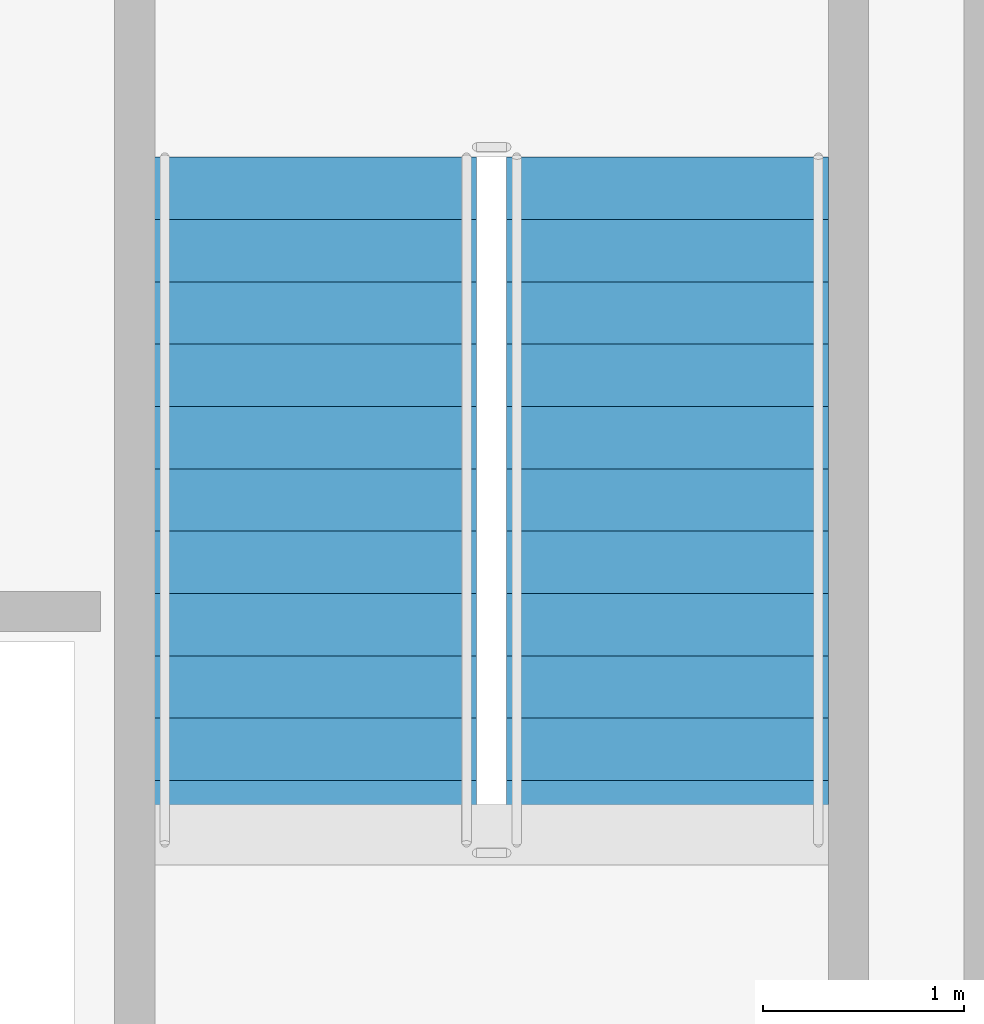
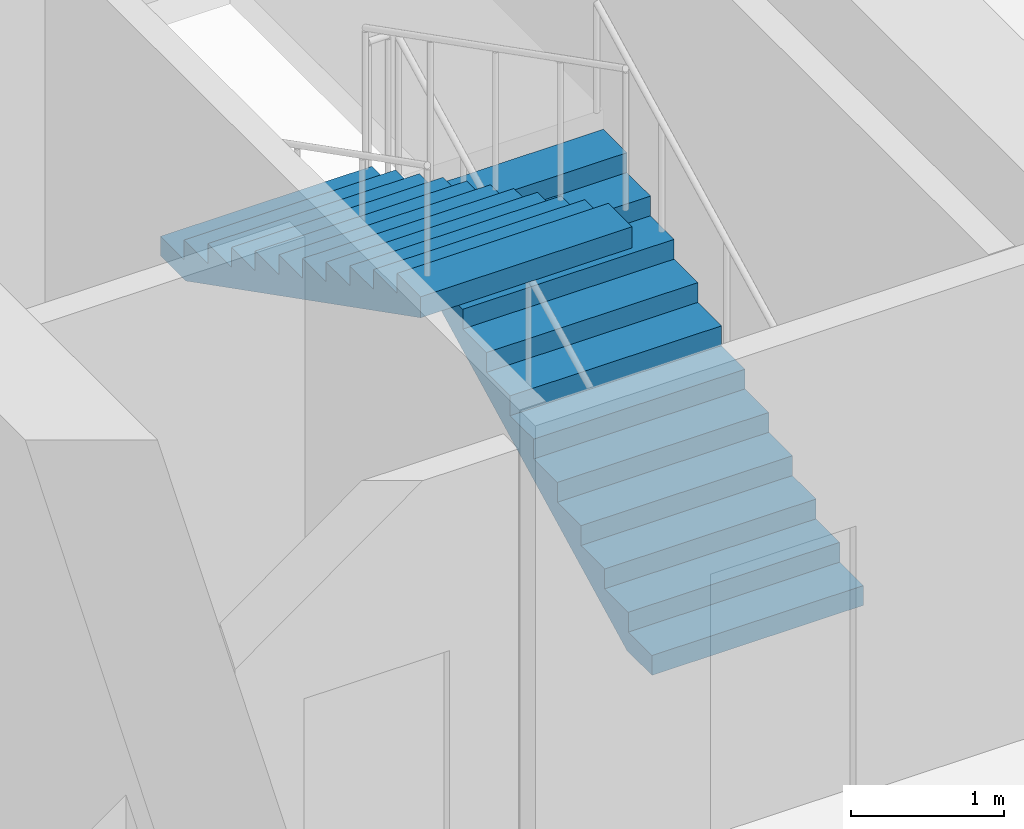
# One storey, part 10 of 14: 2 stair flights, 1 element without a shape of its own.
"""IFC4 building model written with IfcOpenShell, lengths in metres."""

from ifc_helpers import new_model, si_unit, direction, frame, origin, place, context, subcontext, project, spatial, polyline, outline, extrude, material, type_object, element, aggregate, save


model = new_model("IFC4")

# Units and contexts
model_context = context("Model", 3, precision=1e-05, world=origin(), true_north=direction((0.0, 1.0)))
body_context = subcontext(model_context, "Body", "Model", "MODEL_VIEW")
ifc_project = project(units=[si_unit("LENGTHUNIT", "METRE"), si_unit("AREAUNIT", "SQUARE_METRE"), si_unit("VOLUMEUNIT", "CUBIC_METRE"), si_unit("PLANEANGLEUNIT", "RADIAN"), si_unit("MASSUNIT", "GRAM", prefix="KILO")], contexts=[model_context])

# Site, building, storey
site_placement = place(None, origin())
site = spatial("IfcSite", under=ifc_project, at=site_placement, CompositionType="ELEMENT")
building_placement = place(site_placement, origin())
building = spatial("IfcBuilding", under=site, at=building_placement, Name="Vaeldorn Concourse Tower", CompositionType="ELEMENT")
storey_placement = place(building_placement, frame((0.0, 0.0, 122.39990234375)))
storey = spatial("IfcBuildingStorey", under=building, at=storey_placement, Name="L31", CompositionType="ELEMENT", Elevation=122.39990234375)

# Stair, stair flights
ifc_material = material(Name="Precast concrete C40/50", Category="concrete")
stair_type = type_object("IfcStairType", Name="STR-DOG-24x158", PredefinedType="HALF_TURN_STAIR", material=ifc_material)
stair_placement = place(storey_placement, origin())
stair = element("IfcStair", 1, at=stair_placement, inside=storey, type_object=stair_type, Name="L31 East Core Exit Stair ST-2", PredefinedType="HALF_TURN_STAIR")
stair_flight_type = type_object("IfcStairFlightType", Name="STF-STR-12x158", PredefinedType="STRAIGHT", material=ifc_material)
stair_flight_1_placement = place(storey_placement, frame((52.14990234375, 41.60009765625, 0.0), z_axis=(0.0, 0.0, 1.0), x_axis=(0.0, 1.0, 0.0)))
stair_flight_1 = element("IfcStairFlight", 2, at=stair_flight_1_placement, type_object=stair_flight_type, Name="ST-2 flight 1", NumberOfRisers=12, NumberOfTreads=11, PredefinedType="STRAIGHT", RiserHeight=0.158333333, TreadLength=0.31, context=body_context, shape_type="SweptSolid", body=[
    extrude(outline(polyline([(0.0, 0.0), (0.0, 0.158447265625), (0.31005859375, 0.158447265625), (0.31005859375, 0.316650390625), (0.6201171875, 0.316650390625), (0.6201171875, 0.47509765625), (0.929931640625, 0.47509765625), (0.929931640625, 0.63330078125), (1.239990234375, 0.63330078125), (1.239990234375, 0.791748046875), (1.550048828125, 0.791748046875), (1.550048828125, 0.949951171875), (1.860107421875, 0.949951171875), (1.860107421875, 1.1083984375), (2.169921875, 1.1083984375), (2.169921875, 1.2666015625), (2.47998046875, 1.2666015625), (2.47998046875, 1.425048828125), (2.7900390625, 1.425048828125), (2.7900390625, 1.583251953125), (3.10009765625, 1.583251953125), (3.10009765625, 1.74169921875), (3.409912109375, 1.74169921875), (3.409912109375, 1.89990234375), (3.409912109375, 1.5732421875), (0.32958984375, 0.0), (0.0, 0.0)])), frame((0.0, 0.800048828125, 0.0), z_axis=(0.0, -1.0, 0.0), x_axis=(1.0, 0.0, 0.0)), (0.0, 0.0, 1.0), 1.60009765625),
])
stair_flight_2_placement = place(storey_placement, frame((50.39990234375, 45.010009765625, 1.900146484375), z_axis=(0.0, 0.0, 1.0), x_axis=(0.0, -1.0, 0.0)))
stair_flight_2 = element("IfcStairFlight", 3, at=stair_flight_2_placement, type_object=stair_flight_type, Name="ST-2 flight 2", NumberOfRisers=12, NumberOfTreads=11, PredefinedType="STRAIGHT", RiserHeight=0.158333333, TreadLength=0.31, context=body_context, shape_type="SweptSolid", body=[
    extrude(outline(polyline([(0.0, 0.0), (0.0, 0.158447265625), (0.31005859375, 0.158447265625), (0.31005859375, 0.316650390625), (0.6201171875, 0.316650390625), (0.6201171875, 0.47509765625), (0.929931640625, 0.47509765625), (0.929931640625, 0.63330078125), (1.239990234375, 0.63330078125), (1.239990234375, 0.791748046875), (1.550048828125, 0.791748046875), (1.550048828125, 0.949951171875), (1.860107421875, 0.949951171875), (1.860107421875, 1.1083984375), (2.169921875, 1.1083984375), (2.169921875, 1.2666015625), (2.47998046875, 1.2666015625), (2.47998046875, 1.425048828125), (2.7900390625, 1.425048828125), (2.7900390625, 1.583251953125), (3.10009765625, 1.583251953125), (3.10009765625, 1.74169921875), (3.409912109375, 1.74169921875), (3.409912109375, 1.89990234375), (3.409912109375, 1.5732421875), (0.32958984375, 0.0), (0.0, 0.0)])), frame((0.0, 0.800048828125, 0.0), z_axis=(0.0, -1.0, 0.0), x_axis=(1.0, 0.0, 0.0)), (0.0, 0.0, 1.0), 1.60009765625),
])
aggregate(stair, [stair_flight_1, stair_flight_2])

save(model, "model.ifc")
